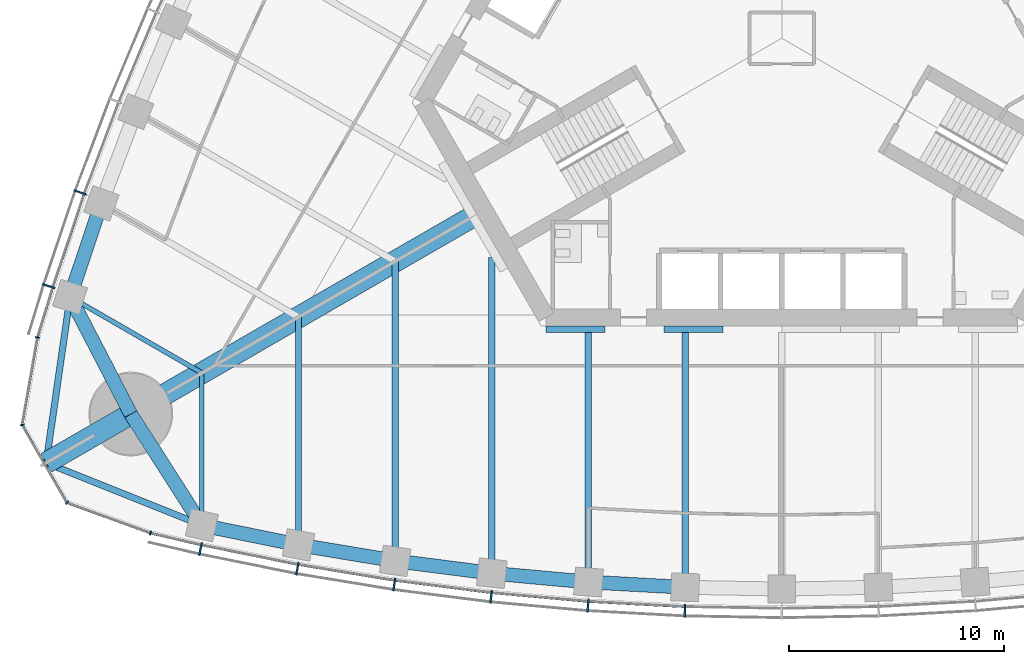
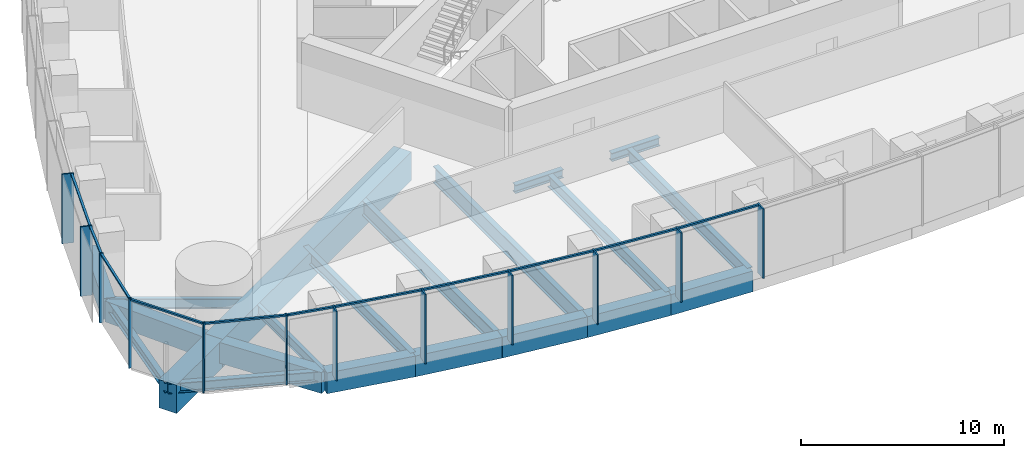
# One storey, part 2 of 19: 23 members, 21 beams, 3 elements without a shape of their own.
"""IFC4 building model written with IfcOpenShell, lengths in metres."""

from ifc_helpers import new_model, si_unit, direction, frame, origin, origin_2d, place, context, subcontext, project, spatial, rectangle, i_section, extrude, material, material_profile, profile_set, type_object, element, aggregate, save


model = new_model("IFC4")

# Units and contexts
model_context = context("Model", 3, precision=1e-05, world=origin(), true_north=direction((0.0, 1.0)))
body_context = subcontext(model_context, "Body", "Model", "MODEL_VIEW")
ifc_project = project(units=[si_unit("LENGTHUNIT", "METRE"), si_unit("AREAUNIT", "SQUARE_METRE"), si_unit("VOLUMEUNIT", "CUBIC_METRE"), si_unit("PLANEANGLEUNIT", "RADIAN"), si_unit("MASSUNIT", "GRAM", prefix="KILO")], contexts=[model_context])

# Site, building, storey
site_placement = place(None, origin())
site = spatial("IfcSite", under=ifc_project, at=site_placement, CompositionType="ELEMENT")
building_placement = place(site_placement, origin())
building = spatial("IfcBuilding", under=site, at=building_placement, Name="Trefoil Bronze Tower", CompositionType="ELEMENT")
storey_placement = place(building_placement, frame((0.0, 0.0, 119.89990234375)))
storey = spatial("IfcBuildingStorey", under=building, at=storey_placement, Name="L27", CompositionType="ELEMENT", Elevation=119.89990234375)

# Curtain wall, members
ifc_material_1 = material(Name="Tinted solar-control glass", Category="glass")
curtain_wall_type_1 = type_object("IfcCurtainWallType", Name="Bronze office curtain wall", PredefinedType="USERDEFINED", material=ifc_material_1)
curtain_wall_1_placement = place(storey_placement, origin())
curtain_wall_1 = element("IfcCurtainWall", 1, at=curtain_wall_1_placement, inside=storey, type_object=curtain_wall_type_1, Name="CW-A L27 F1", ObjectType="CURTAIN WALL", PredefinedType="USERDEFINED")
ifc_material_2 = material(Name="Bronze-finish aluminium", Category="aluminium")
ifc_material_profile_1 = material_profile(ifc_material_2, rectangle(XDim=0.60009765625, YDim=0.080078125, at=origin_2d()), Name="CW-A mullion")
ifc_profile_set_1 = profile_set([ifc_material_profile_1], Name="Bronze-finish aluminium")
member_type_1 = type_object("IfcMemberType", Name="Bronze office curtain wall mullion", PredefinedType="MULLION", material=ifc_profile_set_1)
member_1_placement = place(storey_placement, frame((-27.0634765625, -23.7890625, 0.0), z_axis=(0.0, 0.0, 1.0), x_axis=(0.21197042503, 0.977276081214, 0.0)))
member_1 = element("IfcMember", 2, at=member_1_placement, type_object=member_type_1, Name="CW-A L27 F1 mullion 2", PredefinedType="MULLION", context=body_context, shape_type="SweptSolid", body=[
    extrude(rectangle(XDim=0.60009765625, YDim=0.080078125, at=origin_2d()), origin(), (0.0, 0.0, 1.0), 4.18017578125),
])
member_2_placement = place(storey_placement, frame((-22.553955078125, -24.700927734375, 0.0), z_axis=(0.0, 0.0, 1.0), x_axis=(0.180240853954, 0.98362250613, 0.0)))
member_2 = element("IfcMember", 3, at=member_2_placement, type_object=member_type_1, Name="CW-A L27 F1 mullion 3", PredefinedType="MULLION", context=body_context, shape_type="SweptSolid", body=[
    extrude(rectangle(XDim=0.60009765625, YDim=0.080078125, at=origin_2d()), origin(), (0.0, 0.0, 1.0), 4.18017578125),
])
member_3_placement = place(storey_placement, frame((-18.043212890625, -25.4423828125, 0.0), z_axis=(0.0, 0.0, 1.0), x_axis=(0.144192103798, 0.989549714366, 0.0)))
member_3 = element("IfcMember", 4, at=member_3_placement, type_object=member_type_1, Name="CW-A L27 F1 mullion 4", PredefinedType="MULLION", context=body_context, shape_type="SweptSolid", body=[
    extrude(rectangle(XDim=0.60009765625, YDim=0.080078125, at=origin_2d()), origin(), (0.0, 0.0, 1.0), 4.18017578125),
])
member_4_placement = place(storey_placement, frame((-13.532470703125, -26.01611328125, 0.0), z_axis=(0.0, 0.0, 1.0), x_axis=(0.108143747013, 0.994135267447, 0.0)))
member_4 = element("IfcMember", 5, at=member_4_placement, type_object=member_type_1, Name="CW-A L27 F1 mullion 5", PredefinedType="MULLION", context=body_context, shape_type="SweptSolid", body=[
    extrude(rectangle(XDim=0.60009765625, YDim=0.080078125, at=origin_2d()), origin(), (0.0, 0.0, 1.0), 4.18017578125),
])
member_5_placement = place(storey_placement, frame((-9.021728515625, -26.424072265625, 0.0), z_axis=(0.0, 0.0, 1.0), x_axis=(0.072095676284, 0.997397720802, 0.0)))
member_5 = element("IfcMember", 6, at=member_5_placement, type_object=member_type_1, Name="CW-A L27 F1 mullion 6", PredefinedType="MULLION", context=body_context, shape_type="SweptSolid", body=[
    extrude(rectangle(XDim=0.60009765625, YDim=0.080078125, at=origin_2d()), origin(), (0.0, 0.0, 1.0), 4.18017578125),
])
member_6_placement = place(storey_placement, frame((-4.5107421875, -26.66845703125, 0.0), z_axis=(0.0, 0.0, 1.0), x_axis=(0.036047792107, 0.999350067136, 0.0)))
member_6 = element("IfcMember", 7, at=member_6_placement, type_object=member_type_1, Name="CW-A L27 F1 mullion 7", PredefinedType="MULLION", context=body_context, shape_type="SweptSolid", body=[
    extrude(rectangle(XDim=0.60009765625, YDim=0.080078125, at=origin_2d()), origin(), (0.0, 0.0, 1.0), 4.18017578125),
])

curtain_wall_2_placement = place(storey_placement, origin())
curtain_wall_2 = element("IfcCurtainWall", 8, at=curtain_wall_2_placement, inside=storey, type_object=curtain_wall_type_1, Name="CW-A L27 F3", ObjectType="CURTAIN WALL", PredefinedType="USERDEFINED")
member_7_placement = place(storey_placement, frame((-32.668701171875, -7.181884765625, 0.0), z_axis=(0.0, 0.0, 1.0), x_axis=(0.94196250502, -0.335718094742, 0.0)))
member_7 = element("IfcMember", 9, at=member_7_placement, type_object=member_type_1, Name="CW-A L27 F3 mullion 13", PredefinedType="MULLION", context=body_context, shape_type="SweptSolid", body=[
    extrude(rectangle(XDim=0.60009765625, YDim=0.080078125, at=origin_2d()), origin(), (0.0, 0.0, 1.0), 4.18017578125),
])
member_8_placement = place(storey_placement, frame((-34.1337890625, -11.543212890625, 0.0), z_axis=(0.0, 0.0, 1.0), x_axis=(0.952331125357, -0.30506626768, 0.0)))
member_8 = element("IfcMember", 10, at=member_8_placement, type_object=member_type_1, Name="CW-A L27 F3 mullion 14", PredefinedType="MULLION", context=body_context, shape_type="SweptSolid", body=[
    extrude(rectangle(XDim=0.60009765625, YDim=0.080078125, at=origin_2d()), origin(), (0.0, 0.0, 1.0), 4.18017578125),
])

# Member
ifc_material_3 = material(Name="Bronze-finish aluminium", Category="aluminium")
ifc_material_profile_2 = material_profile(ifc_material_3, rectangle(XDim=0.1201171875, YDim=0.10009765625, at=origin_2d()), Name="CW-A transom")
ifc_profile_set_2 = profile_set([ifc_material_profile_2], Name="Bronze-finish aluminium")
member_type_2 = type_object("IfcMemberType", Name="Bronze office curtain wall transom", PredefinedType="USERDEFINED", material=ifc_profile_set_2)
member_9_placement = place(storey_placement, frame((-29.34130859375, -23.05615234375, 4.130126953125), z_axis=(0.974206243495, -0.225659467196, 0.0), x_axis=(0.225659467196, 0.974206243495, 0.0)))
member_9 = element("IfcMember", 11, at=member_9_placement, type_object=member_type_2, Name="CW-A L27 F1 transom 1", ObjectType="TRANSOM", PredefinedType="USERDEFINED", context=body_context, shape_type="SweptSolid", body=[
    extrude(rectangle(XDim=0.1201171875, YDim=0.10009765625, at=origin_2d()), origin(), (0.0, 0.0, 1.0), 2.340087890625),
])

member_10_placement = place(storey_placement, frame((-26.980712890625, -23.601806640625, 4.130126953125), z_axis=(0.980153749225, -0.198238815273, 0.0), x_axis=(0.198238815273, 0.980153749225, 0.0)))
member_10 = element("IfcMember", 12, at=member_10_placement, type_object=member_type_2, Name="CW-A L27 F1 transom 2", ObjectType="TRANSOM", PredefinedType="USERDEFINED", context=body_context, shape_type="SweptSolid", body=[
    extrude(rectangle(XDim=0.1201171875, YDim=0.10009765625, at=origin_2d()), origin(), (0.0, 0.0, 1.0), 4.51123046875),
])

member_11_placement = place(storey_placement, frame((-22.476806640625, -24.510986328125, 4.130126953125), z_axis=(0.986755265284, -0.162216048636, 0.0), x_axis=(0.162216048636, 0.986755265284, 0.0)))
member_11 = element("IfcMember", 13, at=member_11_placement, type_object=member_type_2, Name="CW-A L27 F1 transom 3", ObjectType="TRANSOM", PredefinedType="USERDEFINED", context=body_context, shape_type="SweptSolid", body=[
    extrude(rectangle(XDim=0.1201171875, YDim=0.10009765625, at=origin_2d()), origin(), (0.0, 0.0, 1.0), 4.48046875),
])

member_12_placement = place(storey_placement, frame((-17.972900390625, -25.249755859375, 4.130126953125), z_axis=(0.992008387848, -0.12617193998, 0.0), x_axis=(0.12617193998, 0.992008387848, 0.0)))
member_12 = element("IfcMember", 14, at=member_12_placement, type_object=member_type_2, Name="CW-A L27 F1 transom 4", ObjectType="TRANSOM", PredefinedType="USERDEFINED", context=body_context, shape_type="SweptSolid", body=[
    extrude(rectangle(XDim=0.1201171875, YDim=0.10009765625, at=origin_2d()), origin(), (0.0, 0.0, 1.0), 4.456298828125),
])

member_13_placement = place(storey_placement, frame((-13.46923828125, -25.821044921875, 4.130126953125), z_axis=(0.995932787062, -0.090099298863, 0.0), x_axis=(0.090099298863, 0.995932787062, 0.0)))
member_13 = element("IfcMember", 15, at=member_13_placement, type_object=member_type_2, Name="CW-A L27 F1 transom 5", ObjectType="TRANSOM", PredefinedType="USERDEFINED", context=body_context, shape_type="SweptSolid", body=[
    extrude(rectangle(XDim=0.1201171875, YDim=0.10009765625, at=origin_2d()), origin(), (0.0, 0.0, 1.0), 4.4384765625),
])

member_14_placement = place(storey_placement, frame((-8.965576171875, -26.22705078125, 4.130126953125), z_axis=(0.998538253569, -0.054049571306, 0.0), x_axis=(0.054049571306, 0.998538253569, 0.0)))
member_14 = element("IfcMember", 16, at=member_14_placement, type_object=member_type_2, Name="CW-A L27 F1 transom 6", ObjectType="TRANSOM", PredefinedType="USERDEFINED", context=body_context, shape_type="SweptSolid", body=[
    extrude(rectangle(XDim=0.1201171875, YDim=0.10009765625, at=origin_2d()), origin(), (0.0, 0.0, 1.0), 4.4267578125),
])

aggregate(curtain_wall_1, [member_1, member_2, member_3, member_4, member_5, member_6, member_9, member_10, member_11, member_12, member_13, member_14])

member_15_placement = place(storey_placement, frame((-32.49365234375, -7.28857421875, 4.130126953125), z_axis=(-0.318386323729, -0.947961048178, 0.0), x_axis=(0.947961048178, -0.318386323729, 0.0)))
member_15 = element("IfcMember", 17, at=member_15_placement, type_object=member_type_2, Name="CW-A L27 F3 transom 13", ObjectType="TRANSOM", PredefinedType="USERDEFINED", context=body_context, shape_type="SweptSolid", body=[
    extrude(rectangle(XDim=0.1201171875, YDim=0.10009765625, at=origin_2d()), origin(), (0.0, 0.0, 1.0), 4.51123046875),
])

member_16_placement = place(storey_placement, frame((-33.955322265625, -11.643798828125, 4.130126953125), z_axis=(-0.291680468798, -0.956515814883, 0.0), x_axis=(0.956515814883, -0.291680468798, 0.0)))
member_16 = element("IfcMember", 18, at=member_16_placement, type_object=member_type_2, Name="CW-A L27 F3 transom 14", ObjectType="TRANSOM", PredefinedType="USERDEFINED", context=body_context, shape_type="SweptSolid", body=[
    extrude(rectangle(XDim=0.1201171875, YDim=0.10009765625, at=origin_2d()), origin(), (0.0, 0.0, 1.0), 2.34033203125),
])

aggregate(curtain_wall_2, [member_7, member_8, member_15, member_16])

# Curtain wall, members
ifc_material_4 = material(Name="Tinted solar-control glass", Category="glass")
curtain_wall_type_2 = type_object("IfcCurtainWallType", Name="Bronze rounded corner curtain wall", PredefinedType="USERDEFINED", material=ifc_material_4)
curtain_wall_3_placement = place(storey_placement, origin())
curtain_wall_3 = element("IfcCurtainWall", 19, at=curtain_wall_3_placement, inside=storey, type_object=curtain_wall_type_2, Name="CW-B L27 K3", ObjectType="CURTAIN WALL", PredefinedType="USERDEFINED")
ifc_material_5 = material(Name="Bronze-finish aluminium", Category="aluminium")
ifc_material_profile_3 = material_profile(ifc_material_5, rectangle(XDim=0.199951171875, YDim=0.06005859375, at=origin_2d()), Name="CW-B mullion")
ifc_profile_set_3 = profile_set([ifc_material_profile_3], Name="Bronze-finish aluminium")
member_type_3 = type_object("IfcMemberType", Name="Bronze rounded corner curtain wall mullion", PredefinedType="MULLION", material=ifc_profile_set_3)
member_17_placement = place(storey_placement, frame((-34.65234375, -13.932373046875, 0.0), z_axis=(0.0, 0.0, 1.0), x_axis=(0.984807753012, -0.173648177667, 0.0)))
member_17 = element("IfcMember", 20, at=member_17_placement, type_object=member_type_3, Name="CW-B L27 K3 mullion 1", PredefinedType="MULLION", context=body_context, shape_type="SweptSolid", body=[
    extrude(rectangle(XDim=0.199951171875, YDim=0.06005859375, at=origin_2d()), origin(), (0.0, 0.0, 1.0), 4.18017578125),
])
member_18_placement = place(storey_placement, frame((-35.364990234375, -18.009033203125, 0.0), z_axis=(0.0, 0.0, 1.0), x_axis=(0.984807753012, 0.173648177667, 0.0)))
member_18 = element("IfcMember", 21, at=member_18_placement, type_object=member_type_3, Name="CW-B L27 K3 mullion 2", PredefinedType="MULLION", context=body_context, shape_type="SweptSolid", body=[
    extrude(rectangle(XDim=0.199951171875, YDim=0.06005859375, at=origin_2d()), origin(), (0.0, 0.0, 1.0), 4.18017578125),
])
member_19_placement = place(storey_placement, frame((-33.27880859375, -21.62255859375, 0.0), z_axis=(0.0, 0.0, 1.0), x_axis=(0.642787609687, 0.766044443119, 0.0)))
member_19 = element("IfcMember", 22, at=member_19_placement, type_object=member_type_3, Name="CW-B L27 K3 mullion 3", PredefinedType="MULLION", context=body_context, shape_type="SweptSolid", body=[
    extrude(rectangle(XDim=0.199951171875, YDim=0.06005859375, at=origin_2d()), origin(), (0.0, 0.0, 1.0), 4.18017578125),
])
member_20_placement = place(storey_placement, frame((-29.391845703125, -23.043701171875, 0.0), z_axis=(0.0, 0.0, 1.0), x_axis=(0.342020143326, 0.939692620786, 0.0)))
member_20 = element("IfcMember", 23, at=member_20_placement, type_object=member_type_3, Name="CW-B L27 K3 mullion 4", PredefinedType="MULLION", context=body_context, shape_type="SweptSolid", body=[
    extrude(rectangle(XDim=0.199951171875, YDim=0.06005859375, at=origin_2d()), origin(), (0.0, 0.0, 1.0), 4.18017578125),
])
ifc_material_6 = material(Name="Bronze-finish aluminium", Category="aluminium")
ifc_material_profile_4 = material_profile(ifc_material_6, rectangle(XDim=0.1201171875, YDim=0.10009765625, at=origin_2d()), Name="CW-B transom")
ifc_profile_set_4 = profile_set([ifc_material_profile_4], Name="Bronze-finish aluminium")
member_type_4 = type_object("IfcMemberType", Name="Bronze rounded corner curtain wall transom", PredefinedType="USERDEFINED", material=ifc_profile_set_4)
member_21_placement = place(storey_placement, frame((-34.657470703125, -13.9619140625, 4.130126953125), z_axis=(-0.173682016639, -0.984801785689, 0.0), x_axis=(0.984801785689, -0.173682016639, 0.0)))
member_21 = element("IfcMember", 24, at=member_21_placement, type_object=member_type_4, Name="CW-B L27 K3 transom 1", ObjectType="TRANSOM", PredefinedType="USERDEFINED", context=body_context, shape_type="SweptSolid", body=[
    extrude(rectangle(XDim=0.1201171875, YDim=0.10009765625, at=origin_2d()), origin(), (0.0, 0.0, 1.0), 4.044189453125),
])
member_22_placement = place(storey_placement, frame((-35.338134765625, -18.067626953125, 4.130126953125), z_axis=(0.500015078168, -0.866016698225, 0.0), x_axis=(0.866016698225, 0.500015078168, 0.0)))
member_22 = element("IfcMember", 25, at=member_22_placement, type_object=member_type_4, Name="CW-B L27 K3 transom 2", ObjectType="TRANSOM", PredefinedType="USERDEFINED", context=body_context, shape_type="SweptSolid", body=[
    extrude(rectangle(XDim=0.1201171875, YDim=0.10009765625, at=origin_2d()), origin(), (0.0, 0.0, 1.0), 4.04443359375),
])
member_23_placement = place(storey_placement, frame((-33.220458984375, -21.650146484375, 4.130126953125), z_axis=(0.939684096629, -0.342043562347, 0.0), x_axis=(0.342043562347, 0.939684096629, 0.0)))
member_23 = element("IfcMember", 26, at=member_23_placement, type_object=member_type_4, Name="CW-B L27 K3 transom 3", ObjectType="TRANSOM", PredefinedType="USERDEFINED", context=body_context, shape_type="SweptSolid", body=[
    extrude(rectangle(XDim=0.1201171875, YDim=0.10009765625, at=origin_2d()), origin(), (0.0, 0.0, 1.0), 4.044189453125),
])
aggregate(curtain_wall_3, [member_17, member_18, member_19, member_20, member_21, member_22, member_23])

# Beams
ifc_material_7 = material(Name="Steel C355", Category="steel")
ifc_material_profile_5 = material_profile(ifc_material_7, i_section(OverallWidth=0.300048828125, OverallDepth=0.5, WebThickness=0.014404296875, FlangeThickness=0.028076171875, FilletRadius=0.027099609375, at=origin_2d()), Name="HEB 500")
ifc_profile_set_5 = profile_set([ifc_material_profile_5], Name="Steel C355")
beam_type_1 = type_object("IfcBeamType", Name="Core seat beam HEB 500", PredefinedType="BEAM", material=ifc_profile_set_5)
for number, where, z_axis, x_axis, name in (
    (27, (-10.9697265625, -13.550048828125, -0.449951171875), (1.0, 0.0, 0.0), (0.0, 1.0, 0.0), "Core seat beam F1/-2 L27"),
    (28, (-5.48486328125, -13.550048828125, -0.449951171875), (1.0, 0.0, 0.0), (0.0, 1.0, 0.0), "Core seat beam F1/-1 L27"),
):
    element("IfcBeam", number, at=place(storey_placement, frame(where, z_axis=z_axis, x_axis=x_axis)), inside=storey, type_object=beam_type_1, Name=name, PredefinedType="BEAM", context=body_context, shape_type="SweptSolid", body=[
        extrude(i_section(OverallWidth=0.300048828125, OverallDepth=0.5, WebThickness=0.014404296875, FlangeThickness=0.028076171875, FilletRadius=0.027099609375, at=origin_2d()), origin(), (0.0, 0.0, 1.0), 2.742431640625),
    ])
ifc_material_8 = material(Name="Concrete B80", Category="concrete")
ifc_material_profile_6 = material_profile(ifc_material_8, rectangle(XDim=1.0, YDim=1.699951171875, at=origin_2d()), Name="RC 1000x1700")
ifc_profile_set_6 = profile_set([ifc_material_profile_6], Name="Concrete B80")
beam_type_2 = type_object("IfcBeamType", Name="Corner cantilever RC 1000x1700", PredefinedType="BEAM", material=ifc_profile_set_6)
beam_1_placement = place(storey_placement, frame((-30.310791015625, -17.5, -1.0498046875), z_axis=(-0.866031878637, -0.499988785058, 0.0), x_axis=(0.499988785058, -0.866031878637, 0.0)))
element("IfcBeam", 29, at=beam_1_placement, inside=storey, type_object=beam_type_2, Name="Corner cantilever K3 L27", PredefinedType="BEAM", context=body_context, shape_type="SweptSolid", body=[
    extrude(rectangle(XDim=1.0, YDim=1.699951171875, at=origin_2d()), origin(), (0.0, 0.0, 1.0), 4.54931640625),
])
ifc_material_9 = material(Name="Steel C355", Category="steel")
ifc_material_profile_7 = material_profile(ifc_material_9, i_section(OverallWidth=0.300048828125, OverallDepth=0.60009765625, WebThickness=0.015380859375, FlangeThickness=0.030029296875, FilletRadius=0.027099609375, at=origin_2d()), Name="HEB 600")
ifc_profile_set_7 = profile_set([ifc_material_profile_7], Name="Steel C355")
beam_type_3 = type_object("IfcBeamType", Name="Corner edge beam HEB 600", PredefinedType="BEAM", material=ifc_profile_set_7)
for number, where, z_axis, x_axis, name in (
    (30, (-27.0, -22.67724609375, -0.5), (-0.928375332495, 0.371643972122, 0.0), (-0.371643972122, -0.928375332495, 0.0), "Corner edge beam F1B L27"),
    (31, (-33.13916015625, -12.044189453125, -0.5), (-0.142327214588, -0.989819662357, 0.0), (0.989819662357, -0.142327214588, 0.0), "Corner edge beam F3A L27"),
):
    element("IfcBeam", number, at=place(storey_placement, frame(where, z_axis=z_axis, x_axis=x_axis)), inside=storey, type_object=beam_type_3, Name=name, PredefinedType="BEAM", context=body_context, shape_type="SweptSolid", body=[
        extrude(i_section(OverallWidth=0.300048828125, OverallDepth=0.60009765625, WebThickness=0.015380859375, FlangeThickness=0.030029296875, FilletRadius=0.027099609375, at=origin_2d()), origin(), (0.0, 0.0, 1.0), 7.81005859375),
    ])
ifc_material_10 = material(Name="Concrete B80", Category="concrete")
ifc_material_profile_8 = material_profile(ifc_material_10, rectangle(XDim=1.0, YDim=1.699951171875, at=origin_2d()), Name="RC 1000x1700")
ifc_profile_set_8 = profile_set([ifc_material_profile_8], Name="Concrete B80")
beam_type_4 = type_object("IfcBeamType", Name="Corner girder RC 1000x1700", PredefinedType="BEAM", material=ifc_profile_set_8)
beam_2_placement = place(storey_placement, frame((-14.202880859375, -8.199951171875, -1.0498046875), z_axis=(-0.866022084834, -0.500005748546, 0.0), x_axis=(0.500005748546, -0.866022084834, 0.0)))
element("IfcBeam", 32, at=beam_2_placement, inside=storey, type_object=beam_type_4, Name="Corner girder K3 L27", PredefinedType="BEAM", context=body_context, shape_type="SweptSolid", body=[
    extrude(rectangle(XDim=1.0, YDim=1.699951171875, at=origin_2d()), origin(), (0.0, 0.0, 1.0), 18.599853515625),
])
ifc_material_11 = material(Name="Concrete B80", Category="concrete")
ifc_material_profile_9 = material_profile(ifc_material_11, rectangle(XDim=0.64990234375, YDim=1.25, at=origin_2d()), Name="RC 650x1250")
ifc_profile_set_9 = profile_set([ifc_material_profile_9], Name="Concrete B80")
beam_type_5 = type_object("IfcBeamType", Name="End spandrel beam RC 650x1250", PredefinedType="SPANDREL", material=ifc_profile_set_9)
for number, where, z_axis, x_axis, name in (
    (33, (-30.310791015625, -17.5, -0.824951171875), (0.53874814953, -0.84246687257, 0.0), (0.84246687257, 0.53874814953, 0.0), "Spandrel F1.1 L27"),
    (34, (-33.13916015625, -12.044189453125, -0.824951171875), (0.460244107083, -0.887792409235, 0.0), (0.887792409235, 0.460244107083, 0.0), "Spandrel F3.14 L27"),
):
    element("IfcBeam", number, at=place(storey_placement, frame(where, z_axis=z_axis, x_axis=x_axis)), inside=storey, type_object=beam_type_5, Name=name, PredefinedType="SPANDREL", context=body_context, shape_type="SweptSolid", body=[
        extrude(rectangle(XDim=0.64990234375, YDim=1.25, at=origin_2d()), origin(), (0.0, 0.0, 1.0), 6.145263671875),
    ])
ifc_material_12 = material(Name="Steel C355", Category="steel")
ifc_material_profile_10 = material_profile(ifc_material_12, i_section(OverallWidth=0.300048828125, OverallDepth=1.0, WebThickness=0.01904296875, FlangeThickness=0.035888671875, FilletRadius=0.030029296875, at=origin_2d()), Name="HEB 1000")
ifc_profile_set_10 = profile_set([ifc_material_profile_10], Name="Steel C355")
beam_type_6 = type_object("IfcBeamType", Name="Floor beam HEB 1000", PredefinedType="BEAM", material=ifc_profile_set_10)
beam_3_placement = place(storey_placement, frame((-13.5, -24.9130859375, -0.699951171875), z_axis=(0.0, 1.0, 0.0), x_axis=(-1.0, 0.0, 0.0)))
element("IfcBeam", 35, at=beam_3_placement, inside=storey, type_object=beam_type_6, Name="Floor beam F1/-3 L27", PredefinedType="BEAM", context=body_context, shape_type="SweptSolid", body=[
    extrude(i_section(OverallWidth=0.300048828125, OverallDepth=1.0, WebThickness=0.01904296875, FlangeThickness=0.035888671875, FilletRadius=0.030029296875, at=origin_2d()), origin(), (0.0, 0.0, 1.0), 14.69580078125),
])
ifc_material_13 = material(Name="Steel C355", Category="steel")
ifc_material_profile_11 = material_profile(ifc_material_13, i_section(OverallWidth=0.300048828125, OverallDepth=0.699951171875, WebThickness=0.01708984375, FlangeThickness=0.031982421875, FilletRadius=0.027099609375, at=origin_2d()), Name="HEB 700")
ifc_profile_set_11 = profile_set([ifc_material_profile_11], Name="Steel C355")
beam_type_7 = type_object("IfcBeamType", Name="Floor beam HEB 700", PredefinedType="BEAM", material=ifc_profile_set_11)
beam_4_placement = place(storey_placement, frame((-22.5, -23.592529296875, -0.5498046875), z_axis=(0.0, 1.0, 0.0), x_axis=(-1.0, 0.0, 0.0)))
element("IfcBeam", 36, at=beam_4_placement, inside=storey, type_object=beam_type_7, Name="Floor beam F1/-5 L27", PredefinedType="BEAM", context=body_context, shape_type="SweptSolid", body=[
    extrude(i_section(OverallWidth=0.300048828125, OverallDepth=0.699951171875, WebThickness=0.01708984375, FlangeThickness=0.031982421875, FilletRadius=0.027099609375, at=origin_2d()), origin(), (0.0, 0.0, 1.0), 10.60205078125),
])
beam_5_placement = place(storey_placement, frame((-9.0, -25.32275390625, -0.5498046875), z_axis=(0.0, 1.0, 0.0), x_axis=(-1.0, 0.0, 0.0)))
element("IfcBeam", 37, at=beam_5_placement, inside=storey, type_object=beam_type_7, Name="Floor beam F1/-2 L27", PredefinedType="BEAM", context=body_context, shape_type="SweptSolid", body=[
    extrude(i_section(OverallWidth=0.300048828125, OverallDepth=0.699951171875, WebThickness=0.01708984375, FlangeThickness=0.031982421875, FilletRadius=0.027099609375, at=origin_2d()), origin(), (0.0, 0.0, 1.0), 11.622802734375),
])
ifc_material_14 = material(Name="Steel C355", Category="steel")
ifc_material_profile_12 = material_profile(ifc_material_14, i_section(OverallWidth=0.300048828125, OverallDepth=0.800048828125, WebThickness=0.017578125, FlangeThickness=0.032958984375, FilletRadius=0.030029296875, at=origin_2d()), Name="HEB 800")
ifc_profile_set_12 = profile_set([ifc_material_profile_12], Name="Steel C355")
beam_type_8 = type_object("IfcBeamType", Name="Floor beam HEB 800", PredefinedType="BEAM", material=ifc_profile_set_12)
beam_6_placement = place(storey_placement, frame((-4.5, -25.568115234375, -0.599853515625), z_axis=(0.0, 1.0, 0.0), x_axis=(-1.0, 0.0, 0.0)))
element("IfcBeam", 38, at=beam_6_placement, inside=storey, type_object=beam_type_8, Name="Floor beam F1/-1 L27", PredefinedType="BEAM", context=body_context, shape_type="SweptSolid", body=[
    extrude(i_section(OverallWidth=0.300048828125, OverallDepth=0.800048828125, WebThickness=0.017578125, FlangeThickness=0.032958984375, FilletRadius=0.030029296875, at=origin_2d()), origin(), (0.0, 0.0, 1.0), 11.8681640625),
])
ifc_material_15 = material(Name="Steel C355", Category="steel")
ifc_material_profile_13 = material_profile(ifc_material_15, i_section(OverallWidth=0.300048828125, OverallDepth=0.89990234375, WebThickness=0.0185546875, FlangeThickness=0.034912109375, FilletRadius=0.030029296875, at=origin_2d()), Name="HEB 900")
ifc_profile_set_13 = profile_set([ifc_material_profile_13], Name="Steel C355")
beam_type_9 = type_object("IfcBeamType", Name="Floor beam HEB 900", PredefinedType="BEAM", material=ifc_profile_set_13)
beam_7_placement = place(storey_placement, frame((-18.0, -24.337158203125, -0.64990234375), z_axis=(0.0, 1.0, 0.0), x_axis=(-1.0, 0.0, 0.0)))
element("IfcBeam", 39, at=beam_7_placement, inside=storey, type_object=beam_type_9, Name="Floor beam F1/-4 L27", PredefinedType="BEAM", context=body_context, shape_type="SweptSolid", body=[
    extrude(i_section(OverallWidth=0.300048828125, OverallDepth=0.89990234375, WebThickness=0.0185546875, FlangeThickness=0.034912109375, FilletRadius=0.030029296875, at=origin_2d()), origin(), (0.0, 0.0, 1.0), 13.94482421875),
])
ifc_material_16 = material(Name="Steel C355", Category="steel")
ifc_material_profile_14 = material_profile(ifc_material_16, i_section(OverallWidth=0.219970703125, OverallDepth=0.60009765625, WebThickness=0.011962890625, FlangeThickness=0.01904296875, FilletRadius=0.02392578125, at=origin_2d()), Name="IPE 600")
ifc_profile_set_14 = profile_set([ifc_material_profile_14], Name="Steel C355")
beam_type_10 = type_object("IfcBeamType", Name="Floor beam IPE 600", PredefinedType="BEAM", material=ifc_profile_set_14)
for number, where, z_axis, x_axis, name in (
    (40, (-27.0, -22.67724609375, -0.5), (0.0, 1.0, 0.0), (-1.0, 0.0, 0.0), "Floor beam F1/-6 L27"),
    (41, (-33.13916015625, -12.044189453125, -0.5), (0.866041060244, -0.499972881236, 0.0), (0.499972881236, 0.866041060244, 0.0), "Floor beam F3/+6 L27"),
):
    element("IfcBeam", number, at=place(storey_placement, frame(where, z_axis=z_axis, x_axis=x_axis)), inside=storey, type_object=beam_type_10, Name=name, PredefinedType="BEAM", context=body_context, shape_type="SweptSolid", body=[
        extrude(i_section(OverallWidth=0.219970703125, OverallDepth=0.60009765625, WebThickness=0.011962890625, FlangeThickness=0.01904296875, FilletRadius=0.02392578125, at=origin_2d()), origin(), (0.0, 0.0, 1.0), 7.0888671875),
    ])
ifc_material_17 = material(Name="Concrete B80", Category="concrete")
ifc_material_profile_15 = material_profile(ifc_material_17, rectangle(XDim=0.64990234375, YDim=1.25, at=origin_2d()), Name="RC 650x1250")
ifc_profile_set_15 = profile_set([ifc_material_profile_15], Name="Concrete B80")
beam_type_11 = type_object("IfcBeamType", Name="Spandrel beam RC 650x1250", PredefinedType="SPANDREL", material=ifc_profile_set_15)
beam_8_placement = place(storey_placement, frame((-27.0, -22.67724609375, -0.824951171875), z_axis=(0.979935430296, -0.199315208777, 0.0), x_axis=(0.199315208777, 0.979935430296, 0.0)))
element("IfcBeam", 42, at=beam_8_placement, inside=storey, type_object=beam_type_11, Name="Spandrel F1.2 L27", PredefinedType="SPANDREL", context=body_context, shape_type="SweptSolid", body=[
    extrude(rectangle(XDim=0.64990234375, YDim=1.25, at=origin_2d()), origin(), (0.0, 0.0, 1.0), 4.592041015625),
])
beam_9_placement = place(storey_placement, frame((-22.5, -23.592529296875, -0.824951171875), z_axis=(0.986584214684, -0.163253138823, 0.0), x_axis=(0.163253138823, 0.986584214684, 0.0)))
element("IfcBeam", 43, at=beam_9_placement, inside=storey, type_object=beam_type_11, Name="Spandrel F1.3 L27", PredefinedType="SPANDREL", context=body_context, shape_type="SweptSolid", body=[
    extrude(rectangle(XDim=0.64990234375, YDim=1.25, at=origin_2d()), origin(), (0.0, 0.0, 1.0), 4.561279296875),
])
beam_10_placement = place(storey_placement, frame((-18.0, -24.337158203125, -0.824951171875), z_axis=(0.991909314257, -0.126948463126, 0.0), x_axis=(0.126948463126, 0.991909314257, 0.0)))
element("IfcBeam", 44, at=beam_10_placement, inside=storey, type_object=beam_type_11, Name="Spandrel F1.4 L27", PredefinedType="SPANDREL", context=body_context, shape_type="SweptSolid", body=[
    extrude(rectangle(XDim=0.64990234375, YDim=1.25, at=origin_2d()), origin(), (0.0, 0.0, 1.0), 4.53662109375),
])
beam_11_placement = place(storey_placement, frame((-13.5, -24.9130859375, -0.824951171875), z_axis=(0.995881683815, -0.090662405894, 0.0), x_axis=(0.090662405894, 0.995881683815, 0.0)))
element("IfcBeam", 45, at=beam_11_placement, inside=storey, type_object=beam_type_11, Name="Spandrel F1.5 L27", PredefinedType="SPANDREL", context=body_context, shape_type="SweptSolid", body=[
    extrude(rectangle(XDim=0.64990234375, YDim=1.25, at=origin_2d()), origin(), (0.0, 0.0, 1.0), 4.5185546875),
])
beam_12_placement = place(storey_placement, frame((-9.0, -25.32275390625, -0.824951171875), z_axis=(0.998516832602, -0.054443870267, 0.0), x_axis=(0.054443870267, 0.998516832602, 0.0)))
element("IfcBeam", 46, at=beam_12_placement, inside=storey, type_object=beam_type_11, Name="Spandrel F1.6 L27", PredefinedType="SPANDREL", context=body_context, shape_type="SweptSolid", body=[
    extrude(rectangle(XDim=0.64990234375, YDim=1.25, at=origin_2d()), origin(), (0.0, 0.0, 1.0), 4.506591796875),
])
beam_13_placement = place(storey_placement, frame((-31.681884765625, -7.689208984375, -0.824951171875), z_axis=(-0.31732802068, -0.948315837309, 0.0), x_axis=(0.948315837309, -0.31732802068, 0.0)))
element("IfcBeam", 47, at=beam_13_placement, inside=storey, type_object=beam_type_11, Name="Spandrel F3.13 L27", PredefinedType="SPANDREL", context=body_context, shape_type="SweptSolid", body=[
    extrude(rectangle(XDim=0.64990234375, YDim=1.25, at=origin_2d()), origin(), (0.0, 0.0, 1.0), 4.59228515625),
])

save(model, "model.ifc")
